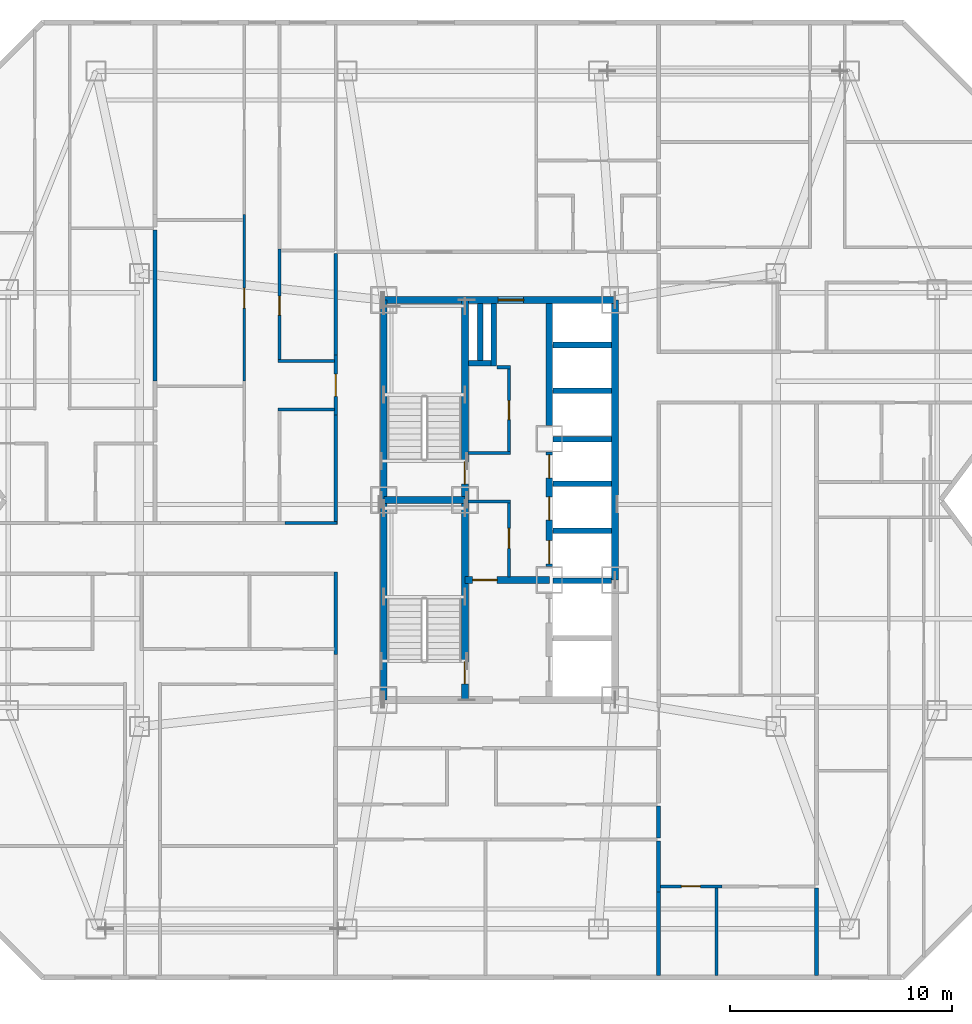
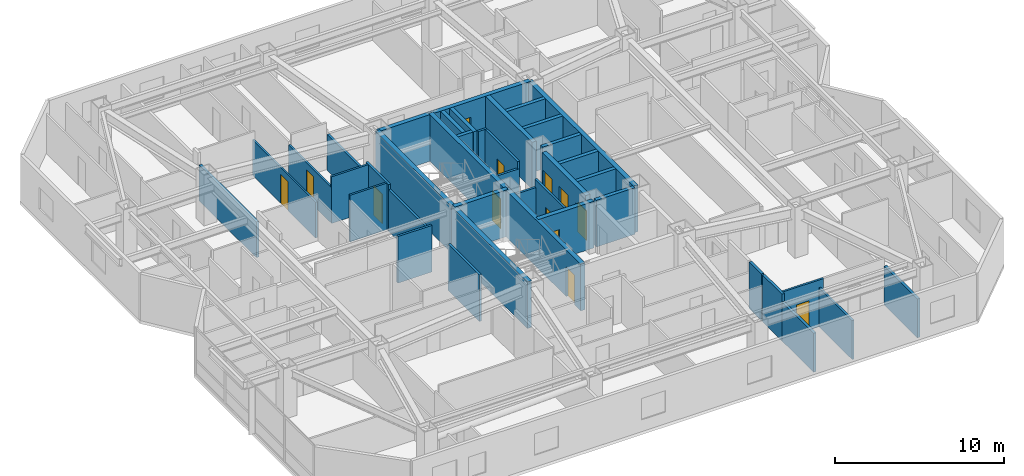
# One storey, part 13 of 17: 40 walls, 13 doors, 13 openings.
"""IFC4 building model written with IfcOpenShell, lengths in metres."""

from ifc_helpers import new_model, si_unit, direction, frame, frame_2d, origin, place, context, subcontext, project, spatial, rectangle, extrude, material, layer, layer_set, type_object, element, fill, save


model = new_model("IFC4")

# Units and contexts
model_context = context("Model", 3, precision=1e-05, world=origin(), true_north=direction((0.0, 1.0)))
body_context = subcontext(model_context, "Body", "Model", "MODEL_VIEW")
ifc_project = project(units=[si_unit("LENGTHUNIT", "METRE"), si_unit("AREAUNIT", "SQUARE_METRE"), si_unit("VOLUMEUNIT", "CUBIC_METRE"), si_unit("PLANEANGLEUNIT", "RADIAN"), si_unit("MASSUNIT", "GRAM", prefix="KILO")], contexts=[model_context])

# Site, building, storey
site_placement = place(None, origin())
site = spatial("IfcSite", under=ifc_project, at=site_placement, CompositionType="ELEMENT")
building_placement = place(site_placement, origin())
building = spatial("IfcBuilding", under=site, at=building_placement, Name="Khamvora Tower", CompositionType="ELEMENT")
storey_placement = place(building_placement, frame((0.0, 0.0, 142.050048828125)))
storey = spatial("IfcBuildingStorey", under=building, at=storey_placement, Name="L36", CompositionType="ELEMENT", Elevation=142.050048828125)

# Walls
ifc_material_1 = material(Name="Concrete C50/60", Category="concrete")
ifc_layer_1 = layer(ifc_material_1, 0.300048828125)
ifc_layer_set_1 = layer_set([ifc_layer_1], Name="Concrete C50/60")
wall_type_1 = type_object("IfcWallType", Name="WAL-CORE-300", PredefinedType="SHEAR", material=ifc_layer_set_1)
for number, where, z_axis, x_axis, name in (
    (1, (29.0, 19.0, 0.0), (0.0, 0.0, 1.0), (0.0, 1.0, 0.0), "L36 central core west south wall"),
    (2, (29.0, 28.0, 0.0), (0.0, 0.0, 1.0), (0.0, 1.0, 0.0), "L36 central core west north wall"),
):
    element("IfcWall", number, at=place(storey_placement, frame(where, z_axis=z_axis, x_axis=x_axis)), inside=storey, type_object=wall_type_1, Name=name, PredefinedType="SHEAR", context=body_context, shape_type="SweptSolid", body=[
        extrude(rectangle(XDim=9.0, YDim=0.300048828125, at=frame_2d((4.5, 0.0))), origin(), (0.0, 0.0, 1.0), 3.369873046875),
    ])

# Wall, opening, door
wall_1_placement = place(storey_placement, frame((29.0, 37.0, 0.0), z_axis=(0.0, 0.0, 1.0), x_axis=(1.0, 0.0, 0.0)))
wall_1 = element("IfcWall", 3, at=wall_1_placement, inside=storey, type_object=wall_type_1, Name="L36 central core north wall", PredefinedType="SHEAR", context=body_context, shape_type="SweptSolid", body=[
    extrude(rectangle(XDim=10.39990234375, YDim=0.300048828125, at=frame_2d((5.199951171875, 0.0))), origin(), (0.0, 0.0, 1.0), 3.369873046875),
])
opening_1_placement = place(wall_1_placement, frame((5.139892578125, 0.0, 0.0)))
opening_1 = element("IfcOpeningElement", 4, at=opening_1_placement, cuts=wall_1, Name="Opening D-SC1", PredefinedType="OPENING", context=body_context, shape_type="SweptSolid", body=[
    extrude(rectangle(XDim=1.14990234375, YDim=2.199951171875, at=frame_2d((0.574951171875, 1.10009765625))), frame((0.0, 0.159912109375, 0.0), z_axis=(0.0, -1.0, 0.0), x_axis=(1.0, 0.0, 0.0)), (0.0, 0.0, 1.0), 0.320068359375),
])
ifc_material_2 = material(Name="Powder-Coated Steel and Hardwood Leaf", Category="steel")
door_type_1 = type_object("IfcDoorType", Name="DOR-SCHL-1150", OperationType="NOTDEFINED", PredefinedType="DOOR", material=ifc_material_2)
door_1_placement = place(opening_1_placement, origin())
door_1 = element("IfcDoor", 5, at=door_1_placement, inside=storey, type_object=door_type_1, Name="L36 north core lobby to corridor fire door", OperationType="SINGLE_SWING_LEFT", OverallHeight=2.199951171875, OverallWidth=1.14990234375, PredefinedType="DOOR", context=body_context, shape_type="SweptSolid", body=[
    extrude(rectangle(XDim=1.14990234375, YDim=2.199951171875, at=frame_2d((0.574951171875, 1.10009765625))), frame((0.0, 0.02490234375, 0.0), z_axis=(0.0, -1.0, 0.0), x_axis=(1.0, 0.0, 0.0)), (0.0, 0.0, 1.0), 0.050048828125),
])
fill(opening_1, door_1)

# Wall
wall_2_placement = place(storey_placement, frame((39.39990234375, 24.39990234375, 0.0), z_axis=(0.0, 0.0, 1.0), x_axis=(0.0, 1.0, 0.0)))
element("IfcWall", 6, at=wall_2_placement, inside=storey, type_object=wall_type_1, Name="L36 central core east north wall", PredefinedType="SHEAR", context=body_context, shape_type="SweptSolid", body=[
    extrude(rectangle(XDim=12.60009765625, YDim=0.300048828125, at=frame_2d((6.300048828125, 0.0))), origin(), (0.0, 0.0, 1.0), 3.369873046875),
])

# Wall, opening, door
wall_3_placement = place(storey_placement, frame((32.64990234375, 19.0, 0.0), z_axis=(0.0, 0.0, 1.0), x_axis=(0.0, 1.0, 0.0)))
wall_3 = element("IfcWall", 7, at=wall_3_placement, inside=storey, type_object=wall_type_1, Name="L36 central core stair south spine wall", PredefinedType="SHEAR", context=body_context, shape_type="SweptSolid", body=[
    extrude(rectangle(XDim=9.0, YDim=0.300048828125, at=frame_2d((4.5, 0.0))), origin(), (0.0, 0.0, 1.0), 3.369873046875),
])
opening_2_placement = place(wall_3_placement, frame((0.719970703125, 0.0, 0.0)))
opening_2 = element("IfcOpeningElement", 8, at=opening_2_placement, cuts=wall_3, Name="Opening D-ST1", PredefinedType="OPENING", context=body_context, shape_type="SweptSolid", body=[
    extrude(rectangle(XDim=1.0, YDim=2.14990234375, at=frame_2d((0.5, 1.074951171875))), frame((0.0, 0.159912109375, 0.0), z_axis=(0.0, -1.0, 0.0), x_axis=(1.0, 0.0, 0.0)), (0.0, 0.0, 1.0), 0.320068359375),
])
door_type_2 = type_object("IfcDoorType", Name="DOR-STAIR-1000", OperationType="NOTDEFINED", PredefinedType="DOOR", material=ifc_material_2)
door_2_placement = place(opening_2_placement, origin())
door_2 = element("IfcDoor", 9, at=door_2_placement, inside=storey, type_object=door_type_2, Name="L36 exit stair ST-01 fire door", OperationType="SINGLE_SWING_RIGHT", OverallHeight=2.14990234375, OverallWidth=1.0, PredefinedType="DOOR", context=body_context, shape_type="SweptSolid", body=[
    extrude(rectangle(XDim=1.0, YDim=2.14990234375, at=frame_2d((0.5, 1.074951171875))), frame((0.0, 0.02490234375, 0.0), z_axis=(0.0, -1.0, 0.0), x_axis=(1.0, 0.0, 0.0)), (0.0, 0.0, 1.0), 0.050048828125),
])
fill(opening_2, door_2)

wall_4_placement = place(storey_placement, frame((32.64990234375, 28.0, 0.0), z_axis=(0.0, 0.0, 1.0), x_axis=(0.0, 1.0, 0.0)))
wall_4 = element("IfcWall", 10, at=wall_4_placement, inside=storey, type_object=wall_type_1, Name="L36 central core stair north spine wall", PredefinedType="SHEAR", context=body_context, shape_type="SweptSolid", body=[
    extrude(rectangle(XDim=9.0, YDim=0.300048828125, at=frame_2d((4.5, 0.0))), origin(), (0.0, 0.0, 1.0), 3.369873046875),
])
opening_3_placement = place(wall_4_placement, frame((0.719970703125, 0.0, 0.0)))
opening_3 = element("IfcOpeningElement", 11, at=opening_3_placement, cuts=wall_4, Name="Opening D-ST1", PredefinedType="OPENING", context=body_context, shape_type="SweptSolid", body=[
    extrude(rectangle(XDim=1.0, YDim=2.14990234375, at=frame_2d((0.5, 1.074951171875))), frame((0.0, 0.159912109375, 0.0), z_axis=(0.0, -1.0, 0.0), x_axis=(1.0, 0.0, 0.0)), (0.0, 0.0, 1.0), 0.320068359375),
])
door_3_placement = place(opening_3_placement, origin())
door_3 = element("IfcDoor", 12, at=door_3_placement, inside=storey, type_object=door_type_2, Name="L36 exit stair ST-02 fire door", OperationType="SINGLE_SWING_RIGHT", OverallHeight=2.14990234375, OverallWidth=1.0, PredefinedType="DOOR", context=body_context, shape_type="SweptSolid", body=[
    extrude(rectangle(XDim=1.0, YDim=2.14990234375, at=frame_2d((0.5, 1.074951171875))), frame((0.0, 0.02490234375, 0.0), z_axis=(0.0, -1.0, 0.0), x_axis=(1.0, 0.0, 0.0)), (0.0, 0.0, 1.0), 0.050048828125),
])
fill(opening_3, door_3)

# Wall
wall_5_placement = place(storey_placement, frame((29.0, 28.0, 0.0), z_axis=(0.0, 0.0, 1.0), x_axis=(1.0, 0.0, 0.0)))
element("IfcWall", 13, at=wall_5_placement, inside=storey, type_object=wall_type_1, Name="L36 central core stair cross wall", PredefinedType="SHEAR", context=body_context, shape_type="SweptSolid", body=[
    extrude(rectangle(XDim=3.64990234375, YDim=0.300048828125, at=frame_2d((1.824951171875, 0.0))), origin(), (0.0, 0.0, 1.0), 3.369873046875),
])

# Wall, opening, door
wall_6_placement = place(storey_placement, frame((32.64990234375, 24.39990234375, 0.0), z_axis=(0.0, 0.0, 1.0), x_axis=(1.0, 0.0, 0.0)))
wall_6 = element("IfcWall", 14, at=wall_6_placement, inside=storey, type_object=wall_type_1, Name="L36 central core firefighting lobby north wall", PredefinedType="SHEAR", context=body_context, shape_type="SweptSolid", body=[
    extrude(rectangle(XDim=3.800048828125, YDim=0.300048828125, at=frame_2d((1.89990234375, 0.0))), origin(), (0.0, 0.0, 1.0), 3.369873046875),
])
opening_4_placement = place(wall_6_placement, frame((0.35009765625, 0.0, 0.0)))
opening_4 = element("IfcOpeningElement", 15, at=opening_4_placement, cuts=wall_6, Name="Opening D-FF1", PredefinedType="OPENING", context=body_context, shape_type="SweptSolid", body=[
    extrude(rectangle(XDim=1.10009765625, YDim=2.14990234375, at=frame_2d((0.550048828125, 1.074951171875))), frame((0.0, 0.159912109375, 0.0), z_axis=(0.0, -1.0, 0.0), x_axis=(1.0, 0.0, 0.0)), (0.0, 0.0, 1.0), 0.320068359375),
])
door_type_3 = type_object("IfcDoorType", Name="DOR-FFLOB-1100", OperationType="NOTDEFINED", PredefinedType="DOOR", material=ifc_material_2)
door_4_placement = place(opening_4_placement, origin())
door_4 = element("IfcDoor", 16, at=door_4_placement, inside=storey, type_object=door_type_3, Name="L36 firefighting lobby smoke-seal fire door", OperationType="SINGLE_SWING_LEFT", OverallHeight=2.14990234375, OverallWidth=1.10009765625, PredefinedType="DOOR", context=body_context, shape_type="SweptSolid", body=[
    extrude(rectangle(XDim=1.10009765625, YDim=2.14990234375, at=frame_2d((0.550048828125, 1.074951171875))), frame((0.0, 0.02490234375, 0.0), z_axis=(0.0, -1.0, 0.0), x_axis=(1.0, 0.0, 0.0)), (0.0, 0.0, 1.0), 0.050048828125),
])
fill(opening_4, door_4)

# Wall, openings, doors
wall_7_placement = place(storey_placement, frame((36.449951171875, 25.0, 0.0), z_axis=(0.0, 0.0, 1.0), x_axis=(0.0, 1.0, 0.0)))
wall_7 = element("IfcWall", 17, at=wall_7_placement, inside=storey, type_object=wall_type_1, Name="L36 central core lift bank central wall", PredefinedType="SHEAR", context=body_context, shape_type="SweptSolid", body=[
    extrude(rectangle(XDim=5.14990234375, YDim=0.300048828125, at=frame_2d((2.574951171875, 0.0))), origin(), (0.0, 0.0, 1.0), 3.369873046875),
])
opening_5_placement = place(wall_7_placement, frame((0.1201171875, 0.0, 0.0)))
opening_5 = element("IfcOpeningElement", 18, at=opening_5_placement, cuts=wall_7, Name="Opening LD-PL", PredefinedType="OPENING", context=body_context, shape_type="SweptSolid", body=[
    extrude(rectangle(XDim=1.050048828125, YDim=2.14990234375, at=frame_2d((0.52490234375, 1.074951171875))), frame((0.0, 0.159912109375, 0.0), z_axis=(0.0, -1.0, 0.0), x_axis=(1.0, 0.0, 0.0)), (0.0, 0.0, 1.0), 0.320068359375),
])
opening_6_placement = place(wall_7_placement, frame((2.094970703125, 0.0, 0.0)))
opening_6 = element("IfcOpeningElement", 19, at=opening_6_placement, cuts=wall_7, Name="Opening LD-PL", PredefinedType="OPENING", context=body_context, shape_type="SweptSolid", body=[
    extrude(rectangle(XDim=1.050048828125, YDim=2.14990234375, at=frame_2d((0.52490234375, 1.074951171875))), frame((0.0, 0.159912109375, 0.0), z_axis=(0.0, -1.0, 0.0), x_axis=(1.0, 0.0, 0.0)), (0.0, 0.0, 1.0), 0.320068359375),
])
opening_7_placement = place(wall_7_placement, frame((3.97998046875, 0.0, 0.0)))
opening_7 = element("IfcOpeningElement", 20, at=opening_7_placement, cuts=wall_7, Name="Opening LD-PL", PredefinedType="OPENING", context=body_context, shape_type="SweptSolid", body=[
    extrude(rectangle(XDim=1.050048828125, YDim=2.14990234375, at=frame_2d((0.52490234375, 1.074951171875))), frame((0.0, 0.159912109375, 0.0), z_axis=(0.0, -1.0, 0.0), x_axis=(1.0, 0.0, 0.0)), (0.0, 0.0, 1.0), 0.320068359375),
])
door_type_4 = type_object("IfcDoorType", Name="DOR-LIFT-1050", OperationType="SLIDING_TO_LEFT", PredefinedType="DOOR", material=ifc_material_2)
door_5_placement = place(opening_5_placement, origin())
door_5 = element("IfcDoor", 21, at=door_5_placement, inside=storey, type_object=door_type_4, Name="L36 lift landing sliding door PL-01", OperationType="SLIDING_TO_LEFT", OverallHeight=2.14990234375, OverallWidth=1.050048828125, PredefinedType="DOOR", context=body_context, shape_type="SweptSolid", body=[
    extrude(rectangle(XDim=1.050048828125, YDim=2.14990234375, at=frame_2d((0.52490234375, 1.074951171875))), frame((0.0, 0.02490234375, 0.0), z_axis=(0.0, -1.0, 0.0), x_axis=(1.0, 0.0, 0.0)), (0.0, 0.0, 1.0), 0.050048828125),
])
fill(opening_5, door_5)
door_6_placement = place(opening_6_placement, origin())
door_6 = element("IfcDoor", 22, at=door_6_placement, inside=storey, type_object=door_type_4, Name="L36 lift landing sliding door PL-02", OperationType="SLIDING_TO_LEFT", OverallHeight=2.14990234375, OverallWidth=1.050048828125, PredefinedType="DOOR", context=body_context, shape_type="SweptSolid", body=[
    extrude(rectangle(XDim=1.050048828125, YDim=2.14990234375, at=frame_2d((0.52490234375, 1.074951171875))), frame((0.0, 0.02490234375, 0.0), z_axis=(0.0, -1.0, 0.0), x_axis=(1.0, 0.0, 0.0)), (0.0, 0.0, 1.0), 0.050048828125),
])
fill(opening_6, door_6)
door_7_placement = place(opening_7_placement, origin())
door_7 = element("IfcDoor", 23, at=door_7_placement, inside=storey, type_object=door_type_4, Name="L36 lift landing sliding door PL-03", OperationType="SLIDING_TO_LEFT", OverallHeight=2.14990234375, OverallWidth=1.050048828125, PredefinedType="DOOR", context=body_context, shape_type="SweptSolid", body=[
    extrude(rectangle(XDim=1.050048828125, YDim=2.14990234375, at=frame_2d((0.52490234375, 1.074951171875))), frame((0.0, 0.02490234375, 0.0), z_axis=(0.0, -1.0, 0.0), x_axis=(1.0, 0.0, 0.0)), (0.0, 0.0, 1.0), 0.050048828125),
])
fill(opening_7, door_7)

# Walls
wall_8_placement = place(storey_placement, frame((36.449951171875, 31.35009765625, 0.0), z_axis=(0.0, 0.0, 1.0), x_axis=(0.0, 1.0, 0.0)))
element("IfcWall", 24, at=wall_8_placement, inside=storey, type_object=wall_type_1, Name="L36 central core lift bank north wall", PredefinedType="SHEAR", context=body_context, shape_type="SweptSolid", body=[
    extrude(rectangle(XDim=5.495849609375, YDim=0.300048828125, at=frame_2d((2.748046875, 0.0))), origin(), (0.0, 0.0, 1.0), 3.369873046875),
])
ifc_material_3 = material(Name="Fire-Rated Drywall and Steel Stud", Category="steel")
ifc_layer_2 = layer(ifc_material_3, 0.14990234375)
ifc_layer_set_2 = layer_set([ifc_layer_2], Name="Fire-Rated Drywall and Steel Stud")
wall_type_2 = type_object("IfcWallType", Name="WAL-CORR-150", PredefinedType="STANDARD", material=ifc_layer_set_2)
wall_9_placement = place(storey_placement, frame((32.7939453125, 30.114990234375, 0.0), z_axis=(0.0, 0.0, 1.0), x_axis=(1.0, 0.0, 0.0)))
element("IfcWall", 25, at=wall_9_placement, inside=storey, type_object=wall_type_2, Name="L36 interior partition wall 001", PredefinedType="STANDARD", context=body_context, shape_type="SweptSolid", body=[
    extrude(rectangle(XDim=1.906005859375, YDim=0.14990234375, at=frame_2d((0.953125, 0.0))), origin(), (0.0, 0.0, 1.0), 2.826904296875),
])

# Wall, opening, door
wall_10_placement = place(storey_placement, frame((34.635009765625, 30.052001953125, 0.0), z_axis=(0.0, 0.0, 1.0), x_axis=(0.0, 1.0, 0.0)))
wall_10 = element("IfcWall", 26, at=wall_10_placement, inside=storey, type_object=wall_type_2, Name="L36 interior partition wall 002", PredefinedType="STANDARD", context=body_context, shape_type="SweptSolid", body=[
    extrude(rectangle(XDim=3.988037109375, YDim=0.14990234375, at=frame_2d((1.994140625, 0.0))), origin(), (0.0, 0.0, 1.0), 3.369873046875),
])
opening_8_placement = place(wall_10_placement, frame((1.569091796875, 0.0, 0.0)))
opening_8 = element("IfcOpeningElement", 27, at=opening_8_placement, cuts=wall_10, Name="Opening D-WC1", PredefinedType="OPENING", context=body_context, shape_type="SweptSolid", body=[
    extrude(rectangle(XDim=0.85009765625, YDim=2.10009765625, at=frame_2d((0.425048828125, 1.050048828125))), frame((0.0, 0.0849609375, 0.0), z_axis=(0.0, -1.0, 0.0), x_axis=(1.0, 0.0, 0.0)), (0.0, 0.0, 1.0), 0.169921875),
])
door_type_5 = type_object("IfcDoorType", Name="DOR-WET-850", OperationType="NOTDEFINED", PredefinedType="DOOR", material=ifc_material_2)
door_8_placement = place(opening_8_placement, origin())
door_8 = element("IfcDoor", 28, at=door_8_placement, inside=storey, type_object=door_type_5, Name="L36 interior door PLL-CS1", OperationType="SINGLE_SWING_RIGHT", OverallHeight=2.10009765625, OverallWidth=0.85009765625, PredefinedType="DOOR", context=body_context, shape_type="SweptSolid", body=[
    extrude(rectangle(XDim=0.85009765625, YDim=2.10009765625, at=frame_2d((0.425048828125, 1.050048828125))), frame((0.0, 0.02490234375, 0.0), z_axis=(0.0, -1.0, 0.0), x_axis=(1.0, 0.0, 0.0)), (0.0, 0.0, 1.0), 0.050048828125),
])
fill(opening_8, door_8)

# Wall
wall_11_placement = place(storey_placement, frame((34.699951171875, 33.97509765625, 0.0), z_axis=(0.0, 0.0, 1.0), x_axis=(-1.0, 0.0, 0.0)))
element("IfcWall", 29, at=wall_11_placement, inside=storey, type_object=wall_type_2, Name="L36 interior partition wall 003", PredefinedType="STANDARD", context=body_context, shape_type="SweptSolid", body=[
    extrude(rectangle(XDim=0.599853515625, YDim=0.14990234375, at=frame_2d((0.2998046875, 0.0))), origin(), (0.0, 0.0, 1.0), 3.369873046875),
])

# Wall, opening, door
wall_12_placement = place(storey_placement, frame((34.635009765625, 24.5439453125, 0.0), z_axis=(0.0, 0.0, 1.0), x_axis=(0.0, 1.0, 0.0)))
wall_12 = element("IfcWall", 30, at=wall_12_placement, inside=storey, type_object=wall_type_2, Name="L36 interior partition wall 004", PredefinedType="STANDARD", context=body_context, shape_type="SweptSolid", body=[
    extrude(rectangle(XDim=3.4560546875, YDim=0.14990234375, at=frame_2d((1.72802734375, 0.0))), origin(), (0.0, 0.0, 1.0), 3.369873046875),
])
opening_9_placement = place(wall_12_placement, frame((1.278076171875, 0.0, 0.0)))
opening_9 = element("IfcOpeningElement", 31, at=opening_9_placement, cuts=wall_12, Name="Opening D-RM1", PredefinedType="OPENING", context=body_context, shape_type="SweptSolid", body=[
    extrude(rectangle(XDim=0.89990234375, YDim=2.10009765625, at=frame_2d((0.449951171875, 1.050048828125))), frame((0.0, 0.0849609375, 0.0), z_axis=(0.0, -1.0, 0.0), x_axis=(1.0, 0.0, 0.0)), (0.0, 0.0, 1.0), 0.169921875),
])
door_type_6 = type_object("IfcDoorType", Name="DOR-ROOM-900", OperationType="NOTDEFINED", PredefinedType="DOOR", material=ifc_material_2)
door_9_placement = place(opening_9_placement, origin())
door_9 = element("IfcDoor", 32, at=door_9_placement, inside=storey, type_object=door_type_6, Name="L36 interior door PLL-CS2", OperationType="SINGLE_SWING_LEFT", OverallHeight=2.10009765625, OverallWidth=0.89990234375, PredefinedType="DOOR", context=body_context, shape_type="SweptSolid", body=[
    extrude(rectangle(XDim=0.89990234375, YDim=2.10009765625, at=frame_2d((0.449951171875, 1.050048828125))), frame((0.0, 0.02490234375, 0.0), z_axis=(0.0, -1.0, 0.0), x_axis=(1.0, 0.0, 0.0)), (0.0, 0.0, 1.0), 0.050048828125),
])
fill(opening_9, door_9)

# Walls
wall_13_placement = place(storey_placement, frame((34.699951171875, 27.93505859375, 0.0), z_axis=(0.0, 0.0, 1.0), x_axis=(-1.0, 0.0, 0.0)))
element("IfcWall", 33, at=wall_13_placement, inside=storey, type_object=wall_type_2, Name="L36 interior partition wall 005", PredefinedType="STANDARD", context=body_context, shape_type="SweptSolid", body=[
    extrude(rectangle(XDim=1.906005859375, YDim=0.14990234375, at=frame_2d((0.953125, 0.0))), origin(), (0.0, 0.0, 1.0), 2.826904296875),
])
wall_14_placement = place(storey_placement, frame((26.8349609375, 21.0458984375, 0.0), z_axis=(0.0, 0.0, 1.0), x_axis=(0.0, 1.0, 0.0)))
element("IfcWall", 34, at=wall_14_placement, inside=storey, type_object=wall_type_2, Name="L36 interior partition wall 007", PredefinedType="STANDARD", context=body_context, shape_type="SweptSolid", body=[
    extrude(rectangle(XDim=3.7041015625, YDim=0.14990234375, at=frame_2d((1.85205078125, 0.0))), origin(), (0.0, 0.0, 1.0), 3.369873046875),
])

# Wall, opening, door
wall_15_placement = place(storey_placement, frame((26.8349609375, 31.81689453125, 0.0), z_axis=(0.0, 0.0, 1.0), x_axis=(0.0, 1.0, 0.0)))
wall_15 = element("IfcWall", 35, at=wall_15_placement, inside=storey, type_object=wall_type_2, Name="L36 interior partition wall 017", PredefinedType="STANDARD", context=body_context, shape_type="SweptSolid", body=[
    extrude(rectangle(XDim=2.697998046875, YDim=0.14990234375, at=frame_2d((1.34912109375, 0.0))), origin(), (0.0, 0.0, 1.0), 3.369873046875),
])
opening_10_placement = place(wall_15_placement, frame((0.84912109375, 0.0, 0.0)))
opening_10 = element("IfcOpeningElement", 36, at=opening_10_placement, cuts=wall_15, Name="Opening D-U1", PredefinedType="OPENING", context=body_context, shape_type="SweptSolid", body=[
    extrude(rectangle(XDim=1.0, YDim=2.14990234375, at=frame_2d((0.5, 1.074951171875))), frame((0.0, 0.0849609375, 0.0), z_axis=(0.0, -1.0, 0.0), x_axis=(1.0, 0.0, 0.0)), (0.0, 0.0, 1.0), 0.169921875),
])
door_type_7 = type_object("IfcDoorType", Name="DOR-UNIT-1000", OperationType="NOTDEFINED", PredefinedType="DOOR", material=ifc_material_2)
door_10_placement = place(opening_10_placement, origin())
door_10 = element("IfcDoor", 37, at=door_10_placement, inside=storey, type_object=door_type_7, Name="L36 interior door COR-36WCH", OperationType="SINGLE_SWING_LEFT", OverallHeight=2.14990234375, OverallWidth=1.0, PredefinedType="DOOR", context=body_context, shape_type="SweptSolid", body=[
    extrude(rectangle(XDim=1.0, YDim=2.14990234375, at=frame_2d((0.5, 1.074951171875))), frame((0.0, 0.02490234375, 0.0), z_axis=(0.0, -1.0, 0.0), x_axis=(1.0, 0.0, 0.0)), (0.0, 0.0, 1.0), 0.050048828125),
])
fill(opening_10, door_10)

# Walls
wall_16_placement = place(storey_placement, frame((26.8349609375, 34.514892578125, 0.0), z_axis=(0.0, 0.0, 1.0), x_axis=(0.0, 1.0, 0.0)))
element("IfcWall", 38, at=wall_16_placement, inside=storey, type_object=wall_type_2, Name="L36 interior partition wall 018", PredefinedType="STANDARD", context=body_context, shape_type="SweptSolid", body=[
    extrude(rectangle(XDim=4.585205078125, YDim=0.14990234375, at=frame_2d((2.29248046875, 0.0))), origin(), (0.0, 0.0, 1.0), 2.5869140625),
])
wall_17_placement = place(storey_placement, frame((24.553955078125, 26.965087890625, 0.0), z_axis=(0.0, 0.0, 1.0), x_axis=(1.0, 0.0, 0.0)))
element("IfcWall", 39, at=wall_17_placement, inside=storey, type_object=wall_type_2, Name="L36 interior partition wall 019", PredefinedType="STANDARD", context=body_context, shape_type="SweptSolid", body=[
    extrude(rectangle(XDim=2.345947265625, YDim=0.14990234375, at=frame_2d((1.1728515625, 0.0))), origin(), (0.0, 0.0, 1.0), 3.369873046875),
])
wall_18_placement = place(storey_placement, frame((26.8349609375, 26.89990234375, 0.0), z_axis=(0.0, 0.0, 1.0), x_axis=(0.0, 1.0, 0.0)))
element("IfcWall", 40, at=wall_18_placement, inside=storey, type_object=wall_type_2, Name="L36 interior partition wall 020", PredefinedType="STANDARD", context=body_context, shape_type="SweptSolid", body=[
    extrude(rectangle(XDim=4.9169921875, YDim=0.14990234375, at=frame_2d((2.45849609375, 0.0))), origin(), (0.0, 0.0, 1.0), 3.0048828125),
])
ifc_material_4 = material(Name="Acoustic Double-Stud Fire Wall", Category="gypsum")
ifc_layer_3 = layer(ifc_material_4, 0.179931640625)
ifc_layer_set_3 = layer_set([ifc_layer_3], Name="Acoustic Double-Stud Fire Wall")
wall_type_3 = type_object("IfcWallType", Name="WAL-CORR-180", PredefinedType="STANDARD", material=ifc_layer_set_3)
wall_19_placement = place(storey_placement, frame((18.705078125, 40.160888671875, 0.0), z_axis=(0.0, 0.0, 1.0), x_axis=(0.0, -1.0, 0.0)))
element("IfcWall", 41, at=wall_19_placement, inside=storey, type_object=wall_type_3, Name="L36 interior partition wall 076", PredefinedType="STANDARD", context=body_context, shape_type="SweptSolid", body=[
    extrude(rectangle(XDim=6.794921875, YDim=0.179931640625, at=frame_2d((3.3974609375, 0.0))), origin(), (0.0, 0.0, 1.0), 2.5869140625),
])
wall_20_placement = place(storey_placement, frame((41.364990234375, 14.239990234375, 0.0), z_axis=(0.0, 0.0, 1.0), x_axis=(0.0, -1.0, 0.0)))
element("IfcWall", 42, at=wall_20_placement, inside=storey, type_object=wall_type_3, Name="L36 interior partition wall 096", PredefinedType="STANDARD", context=body_context, shape_type="SweptSolid", body=[
    extrude(rectangle(XDim=1.449951171875, YDim=0.179931640625, at=frame_2d((0.72509765625, 0.0))), origin(), (0.0, 0.0, 1.0), 3.369873046875),
])
wall_21_placement = place(storey_placement, frame((41.364990234375, 12.659912109375, 0.0), z_axis=(0.0, 0.0, 1.0), x_axis=(0.0, -1.0, 0.0)))
element("IfcWall", 43, at=wall_21_placement, inside=storey, type_object=wall_type_3, Name="L36 interior partition wall 099", PredefinedType="STANDARD", context=body_context, shape_type="SweptSolid", body=[
    extrude(rectangle(XDim=2.298828125, YDim=0.179931640625, at=frame_2d((1.1494140625, 0.0))), origin(), (0.0, 0.0, 1.0), 3.369873046875),
])
wall_22_placement = place(storey_placement, frame((41.364990234375, 10.361083984375, 0.0), z_axis=(0.0, 0.0, 1.0), x_axis=(0.0, -1.0, 0.0)))
element("IfcWall", 44, at=wall_22_placement, inside=storey, type_object=wall_type_3, Name="L36 interior partition wall 100", PredefinedType="STANDARD", context=body_context, shape_type="SweptSolid", body=[
    extrude(rectangle(XDim=3.7490234375, YDim=0.179931640625, at=frame_2d((1.87451171875, 0.0))), origin(), (0.0, 0.0, 1.0), 2.81591796875),
])
wall_23_placement = place(storey_placement, frame((48.4599609375, 10.544921875, 0.0), z_axis=(0.0, 0.0, 1.0), x_axis=(0.0, -1.0, 0.0)))
element("IfcWall", 45, at=wall_23_placement, inside=storey, type_object=wall_type_3, Name="L36 interior partition wall 122", PredefinedType="STANDARD", context=body_context, shape_type="SweptSolid", body=[
    extrude(rectangle(XDim=3.932861328125, YDim=0.179931640625, at=frame_2d((1.96630859375, 0.0))), origin(), (0.0, 0.0, 1.0), 2.81591796875),
])

# Wall, opening, door
ifc_material_5 = material(Name="Gypsum Plasterboard Partition", Category="gypsum")
ifc_layer_4 = layer(ifc_material_5, 0.1201171875)
ifc_layer_set_4 = layer_set([ifc_layer_4], Name="Gypsum Plasterboard Partition")
wall_type_4 = type_object("IfcWallType", Name="WAL-PART-120", PredefinedType="PARTITIONING", material=ifc_layer_set_4)
wall_24_placement = place(storey_placement, frame((22.72509765625, 33.365966796875, 0.0), z_axis=(0.0, 0.0, 1.0), x_axis=(0.0, 1.0, 0.0)))
wall_24 = element("IfcWall", 46, at=wall_24_placement, inside=storey, type_object=wall_type_4, Name="L36 interior partition wall 086", PredefinedType="PARTITIONING", context=body_context, shape_type="SweptSolid", body=[
    extrude(rectangle(XDim=7.487060546875, YDim=0.1201171875, at=frame_2d((3.74365234375, 0.0))), origin(), (0.0, 0.0, 1.0), 2.5869140625),
])
opening_11_placement = place(wall_24_placement, frame((3.27197265625, 0.0, 0.0)))
opening_11 = element("IfcOpeningElement", 47, at=opening_11_placement, cuts=wall_24, Name="Opening D-RM1", PredefinedType="OPENING", context=body_context, shape_type="SweptSolid", body=[
    extrude(rectangle(XDim=0.89990234375, YDim=2.10009765625, at=frame_2d((0.449951171875, 1.050048828125))), frame((0.0, 0.070068359375, 0.0), z_axis=(0.0, -1.0, 0.0), x_axis=(1.0, 0.0, 0.0)), (0.0, 0.0, 1.0), 0.14013671875),
])
door_11_placement = place(opening_11_placement, origin())
door_11 = element("IfcDoor", 48, at=door_11_placement, inside=storey, type_object=door_type_6, Name="L36 interior door 36WCH-36WCR2", OperationType="SINGLE_SWING_RIGHT", OverallHeight=2.10009765625, OverallWidth=0.89990234375, PredefinedType="DOOR", context=body_context, shape_type="SweptSolid", body=[
    extrude(rectangle(XDim=0.89990234375, YDim=2.10009765625, at=frame_2d((0.449951171875, 1.050048828125))), frame((0.0, 0.02490234375, 0.0), z_axis=(0.0, -1.0, 0.0), x_axis=(1.0, 0.0, 0.0)), (0.0, 0.0, 1.0), 0.050048828125),
])
fill(opening_11, door_11)

# Walls
ifc_material_6 = material(Name="Concrete C40/50", Category="concrete")
ifc_layer_5 = layer(ifc_material_6, 0.25)
ifc_layer_set_5 = layer_set([ifc_layer_5], Name="Concrete C40/50")
wall_type_5 = type_object("IfcWallType", Name="WAL-PODS-250", PredefinedType="SHEAR", material=ifc_layer_set_5)
for number, where, z_axis, x_axis, name in (
    (49, (36.60400390625, 24.375, 0.0), (0.0, 0.0, 1.0), (1.0, 0.0, 0.0), "L36 lift shaft divider wall FFL-02"),
    (50, (36.60400390625, 26.625, 0.0), (0.0, 0.0, 1.0), (1.0, 0.0, 0.0), "L36 lift shaft divider wall PL-01"),
    (51, (36.60400390625, 28.72509765625, 0.0), (0.0, 0.0, 1.0), (1.0, 0.0, 0.0), "L36 lift shaft divider wall PL-02"),
    (52, (36.60400390625, 30.72509765625, 0.0), (0.0, 0.0, 1.0), (1.0, 0.0, 0.0), "L36 lift shaft divider wall PL-03"),
    (53, (36.60400390625, 32.925048828125, 0.0), (0.0, 0.0, 1.0), (1.0, 0.0, 0.0), "L36 lift shaft divider wall PH-01"),
    (54, (36.60400390625, 34.97509765625, 0.0), (0.0, 0.0, 1.0), (1.0, 0.0, 0.0), "L36 lift shaft divider wall PH-02"),
):
    element("IfcWall", number, at=place(storey_placement, frame(where, z_axis=z_axis, x_axis=x_axis)), inside=storey, type_object=wall_type_5, Name=name, PredefinedType="SHEAR", context=body_context, shape_type="SweptSolid", body=[
        extrude(rectangle(XDim=2.64208984375, YDim=0.25, at=frame_2d((1.321044921875, 0.0))), origin(), (0.0, 0.0, 1.0), 3.369873046875),
    ])
wall_25_placement = place(storey_placement, frame((33.955078125, 34.02490234375, 0.0), z_axis=(0.0, 0.0, 1.0), x_axis=(0.0, 1.0, 0.0)))
element("IfcWall", 55, at=wall_25_placement, inside=storey, type_object=wall_type_5, Name="L36 vertical MEP riser shaft east enclosure wall", PredefinedType="SHEAR", context=body_context, shape_type="SweptSolid", body=[
    extrude(rectangle(XDim=2.821044921875, YDim=0.25, at=frame_2d((1.41064453125, 0.0))), origin(), (0.0, 0.0, 1.0), 3.369873046875),
])
wall_26_placement = place(storey_placement, frame((32.803955078125, 34.14990234375, 0.0), z_axis=(0.0, 0.0, 1.0), x_axis=(1.0, 0.0, 0.0)))
element("IfcWall", 56, at=wall_26_placement, inside=storey, type_object=wall_type_5, Name="L36 vertical MEP riser shaft south enclosure wall", PredefinedType="SHEAR", context=body_context, shape_type="SweptSolid", body=[
    extrude(rectangle(XDim=1.02197265625, YDim=0.25, at=frame_2d((0.510986328125, 0.0))), origin(), (0.0, 0.0, 1.0), 3.369873046875),
])
wall_27_placement = place(storey_placement, frame((33.340087890625, 34.279052734375, 0.0), z_axis=(0.0, 0.0, 1.0), x_axis=(0.0, 1.0, 0.0)))
element("IfcWall", 57, at=wall_27_placement, inside=storey, type_object=wall_type_5, Name="L36 vertical MEP riser shaft divider enclosure wall", PredefinedType="SHEAR", context=body_context, shape_type="SweptSolid", body=[
    extrude(rectangle(XDim=2.56689453125, YDim=0.25, at=frame_2d((1.283447265625, 0.0))), origin(), (0.0, 0.0, 1.0), 3.369873046875),
])

# Wall, opening, door
ifc_material_7 = material(Name="Moisture-Resistant Plasterboard Partition", Category="gypsum")
ifc_layer_6 = layer(ifc_material_7, 0.135009765625)
ifc_layer_set_6 = layer_set([ifc_layer_6], Name="Moisture-Resistant Plasterboard Partition")
wall_type_6 = type_object("IfcWallType", Name="WAL-WET-135", PredefinedType="PARTITIONING", material=ifc_layer_set_6)
wall_28_placement = place(storey_placement, frame((24.304931640625, 39.2958984375, 0.0), z_axis=(0.0, 0.0, 1.0), x_axis=(0.0, -1.0, 0.0)))
wall_28 = element("IfcWall", 58, at=wall_28_placement, inside=storey, type_object=wall_type_6, Name="L36 interior partition wall 081", PredefinedType="PARTITIONING", context=body_context, shape_type="SweptSolid", body=[
    extrude(rectangle(XDim=5.094970703125, YDim=0.135009765625, at=frame_2d((2.54736328125, 0.0))), origin(), (0.0, 0.0, 1.0), 2.5869140625),
])
opening_12_placement = place(wall_28_placement, frame((2.123046875, 0.0, 0.0)))
opening_12 = element("IfcOpeningElement", 59, at=opening_12_placement, cuts=wall_28, Name="Opening D-WC1", PredefinedType="OPENING", context=body_context, shape_type="SweptSolid", body=[
    extrude(rectangle(XDim=0.85009765625, YDim=2.10009765625, at=frame_2d((0.425048828125, 1.050048828125))), frame((0.0, 0.077392578125, 0.0), z_axis=(0.0, -1.0, 0.0), x_axis=(1.0, 0.0, 0.0)), (0.0, 0.0, 1.0), 0.155029296875),
])
door_12_placement = place(opening_12_placement, origin())
door_12 = element("IfcDoor", 60, at=door_12_placement, inside=storey, type_object=door_type_5, Name="L36 interior door 36WCH-36WCB", OperationType="SINGLE_SWING_LEFT", OverallHeight=2.10009765625, OverallWidth=0.85009765625, PredefinedType="DOOR", context=body_context, shape_type="SweptSolid", body=[
    extrude(rectangle(XDim=0.85009765625, YDim=2.10009765625, at=frame_2d((0.425048828125, 1.050048828125))), frame((0.0, 0.02490234375, 0.0), z_axis=(0.0, -1.0, 0.0), x_axis=(1.0, 0.0, 0.0)), (0.0, 0.0, 1.0), 0.050048828125),
])
fill(opening_12, door_12)

# Walls
for number, where, z_axis, x_axis, name in (
    (61, (24.239990234375, 34.26611328125, 0.0), (0.0, 0.0, 1.0), (1.0, 0.0, 0.0), "L36 interior partition wall 082"),
    (62, (26.77001953125, 32.06591796875, 0.0), (0.0, 0.0, 1.0), (-1.0, 0.0, 0.0), "L36 interior partition wall 083"),
):
    element("IfcWall", number, at=place(storey_placement, frame(where, z_axis=z_axis, x_axis=x_axis)), inside=storey, type_object=wall_type_6, Name=name, PredefinedType="PARTITIONING", context=body_context, shape_type="SweptSolid", body=[
        extrude(rectangle(XDim=2.530029296875, YDim=0.135009765625, at=frame_2d((1.26513671875, 0.0))), origin(), (0.0, 0.0, 1.0), 3.369873046875),
    ])

# Wall, opening, door
wall_29_placement = place(storey_placement, frame((44.22900390625, 10.610107421875, 0.0), z_axis=(0.0, 0.0, 1.0), x_axis=(-1.0, 0.0, 0.0)))
wall_29 = element("IfcWall", 63, at=wall_29_placement, inside=storey, type_object=wall_type_6, Name="L36 interior partition wall 112", PredefinedType="PARTITIONING", context=body_context, shape_type="SweptSolid", body=[
    extrude(rectangle(XDim=2.781982421875, YDim=0.135009765625, at=frame_2d((1.39111328125, 0.0))), origin(), (0.0, 0.0, 1.0), 3.369873046875),
])
opening_13_placement = place(wall_29_placement, frame((0.987060546875, 0.0, 0.0)))
opening_13 = element("IfcOpeningElement", 64, at=opening_13_placement, cuts=wall_29, Name="Opening D-WC1", PredefinedType="OPENING", context=body_context, shape_type="SweptSolid", body=[
    extrude(rectangle(XDim=0.85009765625, YDim=2.10009765625, at=frame_2d((0.425048828125, 1.050048828125))), frame((0.0, 0.077392578125, 0.0), z_axis=(0.0, -1.0, 0.0), x_axis=(1.0, 0.0, 0.0)), (0.0, 0.0, 1.0), 0.155029296875),
])
door_13_placement = place(opening_13_placement, origin())
door_13 = element("IfcDoor", 65, at=door_13_placement, inside=storey, type_object=door_type_5, Name="L36 interior door 36EAH-36EAB", OperationType="SINGLE_SWING_LEFT", OverallHeight=2.10009765625, OverallWidth=0.85009765625, PredefinedType="DOOR", context=body_context, shape_type="SweptSolid", body=[
    extrude(rectangle(XDim=0.85009765625, YDim=2.10009765625, at=frame_2d((0.425048828125, 1.050048828125))), frame((0.0, 0.02490234375, 0.0), z_axis=(0.0, -1.0, 0.0), x_axis=(1.0, 0.0, 0.0)), (0.0, 0.0, 1.0), 0.050048828125),
])
fill(opening_13, door_13)

# Wall
wall_30_placement = place(storey_placement, frame((43.97998046875, 10.548095703125, 0.0), z_axis=(0.0, 0.0, 1.0), x_axis=(0.0, -1.0, 0.0)))
element("IfcWall", 66, at=wall_30_placement, inside=storey, type_object=wall_type_6, Name="L36 interior partition wall 121", PredefinedType="PARTITIONING", context=body_context, shape_type="SweptSolid", body=[
    extrude(rectangle(XDim=3.93603515625, YDim=0.135009765625, at=frame_2d((1.968017578125, 0.0))), origin(), (0.0, 0.0, 1.0), 2.81591796875),
])

save(model, "model.ifc")
